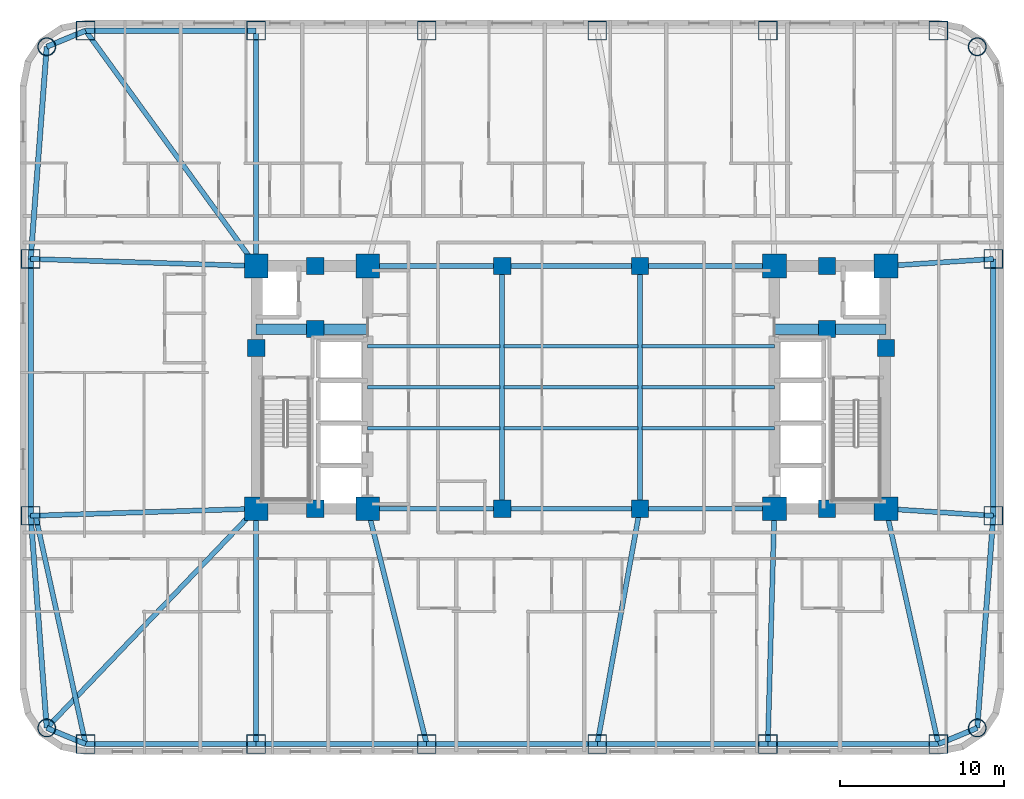
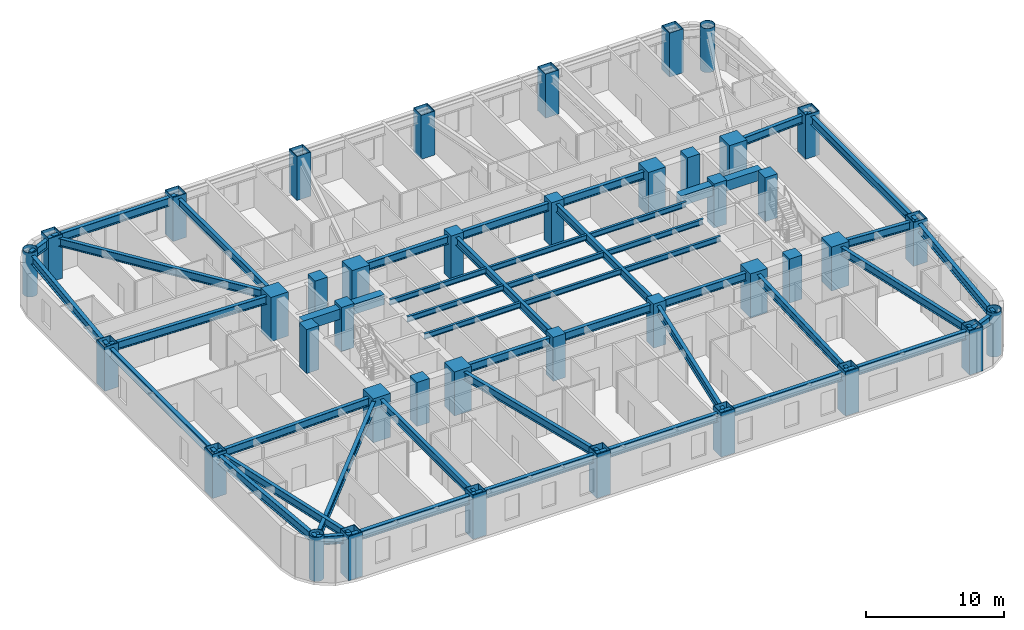
# One storey, part 1 of 11: 46 beams, 40 columns.
"""IFC4 building model written with IfcOpenShell, lengths in metres."""

from ifc_helpers import new_model, si_unit, direction, frame, origin, origin_2d, place, context, subcontext, project, spatial, rectangle, hollow_rectangle, hollow_circle, i_section, extrude, material, material_profile, profile_set, type_object, element, save


model = new_model("IFC4")

# Units and contexts
model_context = context("Model", 3, precision=1e-05, world=origin(), true_north=direction((0.0, 1.0)))
body_context = subcontext(model_context, "Body", "Model", "MODEL_VIEW")
ifc_project = project(units=[si_unit("LENGTHUNIT", "METRE"), si_unit("AREAUNIT", "SQUARE_METRE"), si_unit("VOLUMEUNIT", "CUBIC_METRE"), si_unit("PLANEANGLEUNIT", "RADIAN"), si_unit("MASSUNIT", "GRAM", prefix="KILO")], contexts=[model_context])

# Site, building, storey
site_placement = place(None, origin())
site = spatial("IfcSite", under=ifc_project, at=site_placement, CompositionType="ELEMENT")
building_placement = place(site_placement, origin())
building = spatial("IfcBuilding", under=site, at=building_placement, Name="Voryun Gate Residences", CompositionType="ELEMENT")
storey_placement = place(building_placement, frame((0.0, 0.0, 57.199951171875)))
storey = spatial("IfcBuildingStorey", under=building, at=storey_placement, Name="L13", CompositionType="ELEMENT", Elevation=57.199951171875)

# Columns
ifc_material_1 = material(Name="Concrete C50/60", Category="concrete")
ifc_material_profile_1 = material_profile(ifc_material_1, rectangle(XDim=1.050048828125, YDim=1.050048828125, at=origin_2d()), Name="RC-1050x1050")
ifc_profile_set_1 = profile_set([ifc_material_profile_1], Name="Concrete C50/60")
column_type_1 = type_object("IfcColumnType", Name="COL_CORE_1050", PredefinedType="COLUMN", material=ifc_profile_set_1)
for number, where, z_axis, x_axis, name in (
    (1, (-19.199951171875, 2.39990234375, 0.0), (0.0, 0.0, 1.0), (1.0, 0.0, 0.0), "L13 Core boundary column WC-MW"),
    (2, (-15.60009765625, -7.39990234375, 0.0), (0.0, 0.0, 1.0), (1.0, 0.0, 0.0), "L13 Core boundary column WC-SM"),
    (3, (-15.60009765625, 7.39990234375, 0.0), (0.0, 0.0, 1.0), (1.0, 0.0, 0.0), "L13 Core boundary column WC-NM"),
    (4, (-15.60009765625, 3.550048828125, 0.0), (0.0, 0.0, 1.0), (1.0, 0.0, 0.0), "L13 Core boundary column WC-MM"),
    (5, (15.60009765625, 3.550048828125, 0.0), (0.0, 0.0, 1.0), (1.0, 0.0, 0.0), "L13 Core boundary column EC-MM"),
    (6, (15.60009765625, -7.39990234375, 0.0), (0.0, 0.0, 1.0), (1.0, 0.0, 0.0), "L13 Core boundary column EC-SM"),
    (7, (15.60009765625, 7.39990234375, 0.0), (0.0, 0.0, 1.0), (1.0, 0.0, 0.0), "L13 Core boundary column EC-NM"),
    (8, (19.199951171875, 2.39990234375, 0.0), (0.0, 0.0, 1.0), (1.0, 0.0, 0.0), "L13 Core boundary column EC-ME"),
    (9, (-4.199951171875, -7.39990234375, 0.0), (0.0, 0.0, 1.0), (1.0, 0.0, 0.0), "L13 Interior spine column SP-WS"),
    (10, (-4.199951171875, 7.39990234375, 0.0), (0.0, 0.0, 1.0), (1.0, 0.0, 0.0), "L13 Interior spine column SP-WN"),
    (11, (4.199951171875, -7.39990234375, 0.0), (0.0, 0.0, 1.0), (1.0, 0.0, 0.0), "L13 Interior spine column SP-ES"),
    (12, (4.199951171875, 7.39990234375, 0.0), (0.0, 0.0, 1.0), (1.0, 0.0, 0.0), "L13 Interior spine column SP-EN"),
):
    element("IfcColumn", number, at=place(storey_placement, frame(where, z_axis=z_axis, x_axis=x_axis)), inside=storey, type_object=column_type_1, Name=name, PredefinedType="COLUMN", context=body_context, shape_type="SweptSolid", body=[
        extrude(rectangle(XDim=1.050048828125, YDim=1.050048828125, at=origin_2d()), origin(), (0.0, 0.0, 1.0), 3.900146484375),
    ])
ifc_material_2 = material(Name="Steel SM420", Category="steel")
ifc_material_profile_2 = material_profile(ifc_material_2, hollow_circle(Radius=0.550048828125, WallThickness=0.035888671875, at=origin_2d()), Name="CHS-1100x36")
ifc_profile_set_2 = profile_set([ifc_material_profile_2], Name="Steel SM420")
column_type_2 = type_object("IfcColumnType", Name="COL_CRN_1100", PredefinedType="COLUMN", material=ifc_profile_set_2)
for number, where, z_axis, x_axis, name in (
    (13, (24.768798828125, -20.768798828125, 0.0), (0.0, 0.0, 1.0), (1.0, 0.0, 0.0), "L13 Exoskeleton column CSE"),
    (14, (24.768798828125, 20.768798828125, 0.0), (0.0, 0.0, 1.0), (1.0, 0.0, 0.0), "L13 Exoskeleton column CNE"),
    (15, (-31.96875, 20.768798828125, 0.0), (0.0, 0.0, 1.0), (1.0, 0.0, 0.0), "L13 Exoskeleton column CNW"),
    (16, (-31.96875, -20.768798828125, 0.0), (0.0, 0.0, 1.0), (1.0, 0.0, 0.0), "L13 Exoskeleton column CSW"),
):
    element("IfcColumn", number, at=place(storey_placement, frame(where, z_axis=z_axis, x_axis=x_axis)), inside=storey, type_object=column_type_2, Name=name, PredefinedType="COLUMN", context=body_context, shape_type="SweptSolid", body=[
        extrude(hollow_circle(Radius=0.550048828125, WallThickness=0.035888671875, at=origin_2d()), origin(), (0.0, 0.0, 1.0), 3.900146484375),
    ])
ifc_material_3 = material(Name="Steel SM420", Category="steel")
ifc_material_profile_3 = material_profile(ifc_material_3, hollow_rectangle(XDim=1.14990234375, YDim=1.14990234375, WallThickness=0.0400390625, at=origin_2d()), Name="BOX-1150x1150x40")
ifc_profile_set_3 = profile_set([ifc_material_profile_3], Name="Steel SM420")
column_type_3 = type_object("IfcColumnType", Name="COL_EXO_B1", PredefinedType="COLUMN", material=ifc_profile_set_3)
for number, where, z_axis, x_axis, name in (
    (17, (-29.60009765625, -21.75, 0.0), (0.0, 0.0, 1.0), (1.0, 0.0, 0.0), "L13 Exoskeleton column S1"),
    (18, (-19.199951171875, -21.75, 0.0), (0.0, 0.0, 1.0), (1.0, 0.0, 0.0), "L13 Exoskeleton column S2"),
    (19, (-8.800048828125, -21.75, 0.0), (0.0, 0.0, 1.0), (1.0, 0.0, 0.0), "L13 Exoskeleton column S3"),
    (20, (1.60009765625, -21.75, 0.0), (0.0, 0.0, 1.0), (1.0, 0.0, 0.0), "L13 Exoskeleton column S4"),
    (21, (12.0, -21.75, 0.0), (0.0, 0.0, 1.0), (1.0, 0.0, 0.0), "L13 Exoskeleton column S5"),
    (22, (22.39990234375, -21.75, 0.0), (0.0, 0.0, 1.0), (1.0, 0.0, 0.0), "L13 Exoskeleton column S6"),
    (23, (25.75, -7.830078125, 0.0), (0.0, 0.0, 1.0), (1.0, 0.0, 0.0), "L13 Exoskeleton column E1"),
    (24, (25.75, 7.830078125, 0.0), (0.0, 0.0, 1.0), (1.0, 0.0, 0.0), "L13 Exoskeleton column E2"),
    (25, (22.39990234375, 21.75, 0.0), (0.0, 0.0, 1.0), (1.0, 0.0, 0.0), "L13 Exoskeleton column N1"),
    (26, (12.0, 21.75, 0.0), (0.0, 0.0, 1.0), (1.0, 0.0, 0.0), "L13 Exoskeleton column N2"),
    (27, (1.60009765625, 21.75, 0.0), (0.0, 0.0, 1.0), (1.0, 0.0, 0.0), "L13 Exoskeleton column N3"),
    (28, (-8.800048828125, 21.75, 0.0), (0.0, 0.0, 1.0), (1.0, 0.0, 0.0), "L13 Exoskeleton column N4"),
    (29, (-19.199951171875, 21.75, 0.0), (0.0, 0.0, 1.0), (1.0, 0.0, 0.0), "L13 Exoskeleton column N5"),
    (30, (-29.60009765625, 21.75, 0.0), (0.0, 0.0, 1.0), (1.0, 0.0, 0.0), "L13 Exoskeleton column N6"),
    (31, (-32.949951171875, 7.830078125, 0.0), (0.0, 0.0, 1.0), (1.0, 0.0, 0.0), "L13 Exoskeleton column W1"),
    (32, (-32.949951171875, -7.830078125, 0.0), (0.0, 0.0, 1.0), (1.0, 0.0, 0.0), "L13 Exoskeleton column W2"),
):
    element("IfcColumn", number, at=place(storey_placement, frame(where, z_axis=z_axis, x_axis=x_axis)), inside=storey, type_object=column_type_3, Name=name, PredefinedType="COLUMN", context=body_context, shape_type="SweptSolid", body=[
        extrude(hollow_rectangle(XDim=1.14990234375, YDim=1.14990234375, WallThickness=0.0400390625, at=origin_2d()), origin(), (0.0, 0.0, 1.0), 3.900146484375),
    ])
ifc_material_4 = material(Name="Concrete C60/75", Category="concrete")
ifc_material_profile_4 = material_profile(ifc_material_4, rectangle(XDim=1.449951171875, YDim=1.449951171875, at=origin_2d()), Name="RC-1450x1450")
ifc_profile_set_4 = profile_set([ifc_material_profile_4], Name="Concrete C60/75")
column_type_4 = type_object("IfcColumnType", Name="COL_MEGA_1450", PredefinedType="COLUMN", material=ifc_profile_set_4)
for number, where, z_axis, x_axis, name in (
    (33, (-19.199951171875, -7.39990234375, 0.0), (0.0, 0.0, 1.0), (1.0, 0.0, 0.0), "L13 Core boundary column WC-SW"),
    (34, (-19.199951171875, 7.39990234375, 0.0), (0.0, 0.0, 1.0), (1.0, 0.0, 0.0), "L13 Core boundary column WC-NW"),
    (35, (-12.39990234375, -7.39990234375, 0.0), (0.0, 0.0, 1.0), (1.0, 0.0, 0.0), "L13 Core boundary column WC-SE"),
    (36, (-12.39990234375, 7.39990234375, 0.0), (0.0, 0.0, 1.0), (1.0, 0.0, 0.0), "L13 Core boundary column WC-NE"),
    (37, (12.39990234375, -7.39990234375, 0.0), (0.0, 0.0, 1.0), (1.0, 0.0, 0.0), "L13 Core boundary column EC-SW"),
    (38, (12.39990234375, 7.39990234375, 0.0), (0.0, 0.0, 1.0), (1.0, 0.0, 0.0), "L13 Core boundary column EC-NW"),
    (39, (19.199951171875, -7.39990234375, 0.0), (0.0, 0.0, 1.0), (1.0, 0.0, 0.0), "L13 Core boundary column EC-SE"),
    (40, (19.199951171875, 7.39990234375, 0.0), (0.0, 0.0, 1.0), (1.0, 0.0, 0.0), "L13 Core boundary column EC-NE"),
):
    element("IfcColumn", number, at=place(storey_placement, frame(where, z_axis=z_axis, x_axis=x_axis)), inside=storey, type_object=column_type_4, Name=name, PredefinedType="COLUMN", context=body_context, shape_type="SweptSolid", body=[
        extrude(rectangle(XDim=1.449951171875, YDim=1.449951171875, at=origin_2d()), origin(), (0.0, 0.0, 1.0), 3.900146484375),
    ])

# Beams
ifc_material_5 = material(Name="Concrete C60/75", Category="concrete")
ifc_material_profile_5 = material_profile(ifc_material_5, rectangle(XDim=0.64990234375, YDim=0.89990234375, at=origin_2d()), Name="RC-650x900")
ifc_profile_set_5 = profile_set([ifc_material_profile_5], Name="Concrete C60/75")
beam_type_1 = type_object("IfcBeamType", Name="BM_COUP_RC900", PredefinedType="LINTEL", material=ifc_profile_set_5)
for number, where, z_axis, x_axis, name in (
    (41, (-19.199951171875, 3.550048828125, 3.199951171875), (1.0, 0.0, 0.0), (0.0, 1.0, 0.0), "BM-L13-WC1"),
    (42, (12.39990234375, 3.550048828125, 3.199951171875), (1.0, 0.0, 0.0), (0.0, 1.0, 0.0), "BM-L13-EC1"),
):
    element("IfcBeam", number, at=place(storey_placement, frame(where, z_axis=z_axis, x_axis=x_axis)), inside=storey, type_object=beam_type_1, Name=name, PredefinedType="LINTEL", context=body_context, shape_type="SweptSolid", body=[
        extrude(rectangle(XDim=0.64990234375, YDim=0.89990234375, at=origin_2d()), origin(), (0.0, 0.0, 1.0), 6.800048828125),
    ])
ifc_material_6 = material(Name="Steel SM355", Category="steel")
ifc_material_profile_6 = material_profile(ifc_material_6, i_section(OverallWidth=0.320068359375, OverallDepth=0.75, WebThickness=0.01611328125, FlangeThickness=0.028076171875, FilletRadius=0.01806640625, at=origin_2d()), Name="H-750x320x16x28")
ifc_profile_set_6 = profile_set([ifc_material_profile_6], Name="Steel SM355")
beam_type_2 = type_object("IfcBeamType", Name="BM_EXO_SPANDREL_L", PredefinedType="SPANDREL", material=ifc_profile_set_6)
beam_1_placement = place(storey_placement, frame((-29.60009765625, -21.75, 3.275146484375), z_axis=(1.0, 0.0, 0.0), x_axis=(0.0, 1.0, 0.0)))
element("IfcBeam", 43, at=beam_1_placement, inside=storey, type_object=beam_type_2, Name="BM-L13-SPAND-01", PredefinedType="SPANDREL", context=body_context, shape_type="SweptSolid", body=[
    extrude(i_section(OverallWidth=0.320068359375, OverallDepth=0.75, WebThickness=0.01611328125, FlangeThickness=0.028076171875, FilletRadius=0.01806640625, at=origin_2d()), origin(), (0.0, 0.0, 1.0), 10.400146484375),
])
beam_2_placement = place(storey_placement, frame((-19.199951171875, -21.75, 3.275146484375), z_axis=(1.0, 0.0, 0.0), x_axis=(0.0, 1.0, 0.0)))
element("IfcBeam", 44, at=beam_2_placement, inside=storey, type_object=beam_type_2, Name="BM-L13-SPAND-02", PredefinedType="SPANDREL", context=body_context, shape_type="SweptSolid", body=[
    extrude(i_section(OverallWidth=0.320068359375, OverallDepth=0.75, WebThickness=0.01611328125, FlangeThickness=0.028076171875, FilletRadius=0.01806640625, at=origin_2d()), origin(), (0.0, 0.0, 1.0), 10.39990234375),
])
beam_3_placement = place(storey_placement, frame((-8.800048828125, -21.75, 3.275146484375), z_axis=(1.0, 0.0, 0.0), x_axis=(0.0, 1.0, 0.0)))
element("IfcBeam", 45, at=beam_3_placement, inside=storey, type_object=beam_type_2, Name="BM-L13-SPAND-03", PredefinedType="SPANDREL", context=body_context, shape_type="SweptSolid", body=[
    extrude(i_section(OverallWidth=0.320068359375, OverallDepth=0.75, WebThickness=0.01611328125, FlangeThickness=0.028076171875, FilletRadius=0.01806640625, at=origin_2d()), origin(), (0.0, 0.0, 1.0), 10.400146484375),
])
for number, where, z_axis, x_axis, name in (
    (46, (1.60009765625, -21.75, 3.275146484375), (1.0, 0.0, 0.0), (0.0, 1.0, 0.0), "BM-L13-SPAND-04"),
    (47, (12.0, -21.75, 3.275146484375), (1.0, 0.0, 0.0), (0.0, 1.0, 0.0), "BM-L13-SPAND-05"),
):
    element("IfcBeam", number, at=place(storey_placement, frame(where, z_axis=z_axis, x_axis=x_axis)), inside=storey, type_object=beam_type_2, Name=name, PredefinedType="SPANDREL", context=body_context, shape_type="SweptSolid", body=[
        extrude(i_section(OverallWidth=0.320068359375, OverallDepth=0.75, WebThickness=0.01611328125, FlangeThickness=0.028076171875, FilletRadius=0.01806640625, at=origin_2d()), origin(), (0.0, 0.0, 1.0), 10.39990234375),
    ])
beam_4_placement = place(storey_placement, frame((22.39990234375, -21.75, 3.275146484375), z_axis=(0.923883376753, 0.382674151414, 0.0), x_axis=(-0.382674151414, 0.923883376753, 0.0)))
element("IfcBeam", 48, at=beam_4_placement, inside=storey, type_object=beam_type_2, Name="BM-L13-SPAND-06", PredefinedType="SPANDREL", context=body_context, shape_type="SweptSolid", body=[
    extrude(i_section(OverallWidth=0.320068359375, OverallDepth=0.75, WebThickness=0.01611328125, FlangeThickness=0.028076171875, FilletRadius=0.01806640625, at=origin_2d()), origin(), (0.0, 0.0, 1.0), 2.56396484375),
])
beam_5_placement = place(storey_placement, frame((24.768798828125, -20.768798828125, 3.275146484375), z_axis=(0.075617360159, 0.997136908776, 0.0), x_axis=(-0.997136908776, 0.075617360159, 0.0)))
element("IfcBeam", 49, at=beam_5_placement, inside=storey, type_object=beam_type_2, Name="BM-L13-SPAND-07", PredefinedType="SPANDREL", context=body_context, shape_type="SweptSolid", body=[
    extrude(i_section(OverallWidth=0.320068359375, OverallDepth=0.75, WebThickness=0.01611328125, FlangeThickness=0.028076171875, FilletRadius=0.01806640625, at=origin_2d()), origin(), (0.0, 0.0, 1.0), 12.975830078125),
])
beam_6_placement = place(storey_placement, frame((25.75, -7.830078125, 3.275146484375), z_axis=(0.0, 1.0, 0.0), x_axis=(-1.0, 0.0, 0.0)))
element("IfcBeam", 50, at=beam_6_placement, inside=storey, type_object=beam_type_2, Name="BM-L13-SPAND-08", PredefinedType="SPANDREL", context=body_context, shape_type="SweptSolid", body=[
    extrude(i_section(OverallWidth=0.320068359375, OverallDepth=0.75, WebThickness=0.01611328125, FlangeThickness=0.028076171875, FilletRadius=0.01806640625, at=origin_2d()), origin(), (0.0, 0.0, 1.0), 15.66015625),
])
beam_7_placement = place(storey_placement, frame((-19.199951171875, 21.75, 3.275146484375), z_axis=(-1.0, 0.0, 0.0), x_axis=(0.0, -1.0, 0.0)))
element("IfcBeam", 51, at=beam_7_placement, inside=storey, type_object=beam_type_2, Name="BM-L13-SPAND-15", PredefinedType="SPANDREL", context=body_context, shape_type="SweptSolid", body=[
    extrude(i_section(OverallWidth=0.320068359375, OverallDepth=0.75, WebThickness=0.01611328125, FlangeThickness=0.028076171875, FilletRadius=0.01806640625, at=origin_2d()), origin(), (0.0, 0.0, 1.0), 10.400146484375),
])
beam_8_placement = place(storey_placement, frame((-29.60009765625, 21.75, 3.275146484375), z_axis=(-0.92386943149, -0.382707817477, 0.0), x_axis=(0.382707817477, -0.92386943149, 0.0)))
element("IfcBeam", 52, at=beam_8_placement, inside=storey, type_object=beam_type_2, Name="BM-L13-SPAND-16", PredefinedType="SPANDREL", context=body_context, shape_type="SweptSolid", body=[
    extrude(i_section(OverallWidth=0.320068359375, OverallDepth=0.75, WebThickness=0.01611328125, FlangeThickness=0.028076171875, FilletRadius=0.01806640625, at=origin_2d()), origin(), (0.0, 0.0, 1.0), 2.563720703125),
])
beam_9_placement = place(storey_placement, frame((-31.96875, 20.768798828125, 3.275146484375), z_axis=(-0.075617360159, -0.997136908776, 0.0), x_axis=(0.997136908776, -0.075617360159, 0.0)))
element("IfcBeam", 53, at=beam_9_placement, inside=storey, type_object=beam_type_2, Name="BM-L13-SPAND-17", PredefinedType="SPANDREL", context=body_context, shape_type="SweptSolid", body=[
    extrude(i_section(OverallWidth=0.320068359375, OverallDepth=0.75, WebThickness=0.01611328125, FlangeThickness=0.028076171875, FilletRadius=0.01806640625, at=origin_2d()), origin(), (0.0, 0.0, 1.0), 12.975830078125),
])
beam_10_placement = place(storey_placement, frame((-32.949951171875, 7.830078125, 3.275146484375), z_axis=(0.0, -1.0, 0.0), x_axis=(1.0, 0.0, 0.0)))
element("IfcBeam", 54, at=beam_10_placement, inside=storey, type_object=beam_type_2, Name="BM-L13-SPAND-18", PredefinedType="SPANDREL", context=body_context, shape_type="SweptSolid", body=[
    extrude(i_section(OverallWidth=0.320068359375, OverallDepth=0.75, WebThickness=0.01611328125, FlangeThickness=0.028076171875, FilletRadius=0.01806640625, at=origin_2d()), origin(), (0.0, 0.0, 1.0), 15.66015625),
])
beam_11_placement = place(storey_placement, frame((-32.949951171875, -7.830078125, 3.275146484375), z_axis=(0.075617360159, -0.997136908776, 0.0), x_axis=(0.997136908776, 0.075617360159, 0.0)))
element("IfcBeam", 55, at=beam_11_placement, inside=storey, type_object=beam_type_2, Name="BM-L13-SPAND-19", PredefinedType="SPANDREL", context=body_context, shape_type="SweptSolid", body=[
    extrude(i_section(OverallWidth=0.320068359375, OverallDepth=0.75, WebThickness=0.01611328125, FlangeThickness=0.028076171875, FilletRadius=0.01806640625, at=origin_2d()), origin(), (0.0, 0.0, 1.0), 12.975830078125),
])
beam_12_placement = place(storey_placement, frame((-31.96875, -20.768798828125, 3.275146484375), z_axis=(0.92386943149, -0.382707817477, 0.0), x_axis=(0.382707817477, 0.92386943149, 0.0)))
element("IfcBeam", 56, at=beam_12_placement, inside=storey, type_object=beam_type_2, Name="BM-L13-SPAND-20", PredefinedType="SPANDREL", context=body_context, shape_type="SweptSolid", body=[
    extrude(i_section(OverallWidth=0.320068359375, OverallDepth=0.75, WebThickness=0.01611328125, FlangeThickness=0.028076171875, FilletRadius=0.01806640625, at=origin_2d()), origin(), (0.0, 0.0, 1.0), 2.563720703125),
])
ifc_material_7 = material(Name="Steel SM355", Category="steel")
ifc_material_profile_7 = material_profile(ifc_material_7, i_section(OverallWidth=0.300048828125, OverallDepth=0.699951171875, WebThickness=0.012939453125, FlangeThickness=0.02392578125, FilletRadius=0.01806640625, at=origin_2d()), Name="H-700x300x13x24")
ifc_profile_set_7 = profile_set([ifc_material_profile_7], Name="Steel SM355")
beam_type_3 = type_object("IfcBeamType", Name="BM_GIRD_700", PredefinedType="USERDEFINED", material=ifc_profile_set_7)
beam_13_placement = place(storey_placement, frame((-12.39990234375, -7.39990234375, 3.300048828125), z_axis=(1.0, 0.0, 0.0), x_axis=(0.0, 1.0, 0.0)))
element("IfcBeam", 57, at=beam_13_placement, inside=storey, type_object=beam_type_3, Name="BM-L13-SPG1-S", ObjectType="GIRDER", PredefinedType="USERDEFINED", context=body_context, shape_type="SweptSolid", body=[
    extrude(i_section(OverallWidth=0.300048828125, OverallDepth=0.699951171875, WebThickness=0.012939453125, FlangeThickness=0.02392578125, FilletRadius=0.01806640625, at=origin_2d()), origin(), (0.0, 0.0, 1.0), 8.199951171875),
])
beam_14_placement = place(storey_placement, frame((-4.199951171875, -7.39990234375, 3.300048828125), z_axis=(1.0, 0.0, 0.0), x_axis=(0.0, 1.0, 0.0)))
element("IfcBeam", 58, at=beam_14_placement, inside=storey, type_object=beam_type_3, Name="BM-L13-SPG2-S", ObjectType="GIRDER", PredefinedType="USERDEFINED", context=body_context, shape_type="SweptSolid", body=[
    extrude(i_section(OverallWidth=0.300048828125, OverallDepth=0.699951171875, WebThickness=0.012939453125, FlangeThickness=0.02392578125, FilletRadius=0.01806640625, at=origin_2d()), origin(), (0.0, 0.0, 1.0), 8.39990234375),
])
for number, where, z_axis, x_axis, name in (
    (59, (4.199951171875, -7.39990234375, 3.300048828125), (1.0, 0.0, 0.0), (0.0, 1.0, 0.0), "BM-L13-SPG3-S"),
    (60, (-12.39990234375, 7.39990234375, 3.300048828125), (1.0, 0.0, 0.0), (0.0, 1.0, 0.0), "BM-L13-SPG1-N"),
):
    element("IfcBeam", number, at=place(storey_placement, frame(where, z_axis=z_axis, x_axis=x_axis)), inside=storey, type_object=beam_type_3, Name=name, ObjectType="GIRDER", PredefinedType="USERDEFINED", context=body_context, shape_type="SweptSolid", body=[
        extrude(i_section(OverallWidth=0.300048828125, OverallDepth=0.699951171875, WebThickness=0.012939453125, FlangeThickness=0.02392578125, FilletRadius=0.01806640625, at=origin_2d()), origin(), (0.0, 0.0, 1.0), 8.199951171875),
    ])
beam_15_placement = place(storey_placement, frame((-4.199951171875, 7.39990234375, 3.300048828125), z_axis=(1.0, 0.0, 0.0), x_axis=(0.0, 1.0, 0.0)))
element("IfcBeam", 61, at=beam_15_placement, inside=storey, type_object=beam_type_3, Name="BM-L13-SPG2-N", ObjectType="GIRDER", PredefinedType="USERDEFINED", context=body_context, shape_type="SweptSolid", body=[
    extrude(i_section(OverallWidth=0.300048828125, OverallDepth=0.699951171875, WebThickness=0.012939453125, FlangeThickness=0.02392578125, FilletRadius=0.01806640625, at=origin_2d()), origin(), (0.0, 0.0, 1.0), 8.39990234375),
])
beam_16_placement = place(storey_placement, frame((4.199951171875, 7.39990234375, 3.300048828125), z_axis=(1.0, 0.0, 0.0), x_axis=(0.0, 1.0, 0.0)))
element("IfcBeam", 62, at=beam_16_placement, inside=storey, type_object=beam_type_3, Name="BM-L13-SPG3-N", ObjectType="GIRDER", PredefinedType="USERDEFINED", context=body_context, shape_type="SweptSolid", body=[
    extrude(i_section(OverallWidth=0.300048828125, OverallDepth=0.699951171875, WebThickness=0.012939453125, FlangeThickness=0.02392578125, FilletRadius=0.01806640625, at=origin_2d()), origin(), (0.0, 0.0, 1.0), 8.199951171875),
])
for number, where, z_axis, x_axis, name in (
    (63, (-4.199951171875, -7.39990234375, 3.300048828125), (0.0, 1.0, 0.0), (-1.0, 0.0, 0.0), "BM-L13-SPX-W"),
    (64, (4.199951171875, -7.39990234375, 3.300048828125), (0.0, 1.0, 0.0), (-1.0, 0.0, 0.0), "BM-L13-SPX-E"),
):
    element("IfcBeam", number, at=place(storey_placement, frame(where, z_axis=z_axis, x_axis=x_axis)), inside=storey, type_object=beam_type_3, Name=name, ObjectType="GIRDER", PredefinedType="USERDEFINED", context=body_context, shape_type="SweptSolid", body=[
        extrude(i_section(OverallWidth=0.300048828125, OverallDepth=0.699951171875, WebThickness=0.012939453125, FlangeThickness=0.02392578125, FilletRadius=0.01806640625, at=origin_2d()), origin(), (0.0, 0.0, 1.0), 14.7998046875),
    ])
beam_17_placement = place(storey_placement, frame((-32.64990234375, -7.830078125, 3.300048828125), z_axis=(0.214019782918, -0.976829326198, 0.0), x_axis=(0.976829326198, 0.214019782918, 0.0)))
element("IfcBeam", 65, at=beam_17_placement, inside=storey, type_object=beam_type_3, Name="BM-L13-RAD-S1", ObjectType="GIRDER", PredefinedType="USERDEFINED", context=body_context, shape_type="SweptSolid", body=[
    extrude(i_section(OverallWidth=0.300048828125, OverallDepth=0.699951171875, WebThickness=0.012939453125, FlangeThickness=0.02392578125, FilletRadius=0.01806640625, at=origin_2d()), origin(), (0.0, 0.0, 1.0), 14.25),
])
beam_18_placement = place(storey_placement, frame((-19.199951171875, -7.39990234375, 3.300048828125), z_axis=(0.0, -1.0, 0.0), x_axis=(1.0, 0.0, 0.0)))
element("IfcBeam", 66, at=beam_18_placement, inside=storey, type_object=beam_type_3, Name="BM-L13-RAD-S2", ObjectType="GIRDER", PredefinedType="USERDEFINED", context=body_context, shape_type="SweptSolid", body=[
    extrude(i_section(OverallWidth=0.300048828125, OverallDepth=0.699951171875, WebThickness=0.012939453125, FlangeThickness=0.02392578125, FilletRadius=0.01806640625, at=origin_2d()), origin(), (0.0, 0.0, 1.0), 14.35009765625),
])
beam_19_placement = place(storey_placement, frame((-12.39990234375, -7.39990234375, 3.300048828125), z_axis=(0.243319869291, -0.969946102218, 0.0), x_axis=(0.969946102218, 0.243319869291, 0.0)))
element("IfcBeam", 67, at=beam_19_placement, inside=storey, type_object=beam_type_3, Name="BM-L13-RAD-S3", ObjectType="GIRDER", PredefinedType="USERDEFINED", context=body_context, shape_type="SweptSolid", body=[
    extrude(i_section(OverallWidth=0.300048828125, OverallDepth=0.699951171875, WebThickness=0.012939453125, FlangeThickness=0.02392578125, FilletRadius=0.01806640625, at=origin_2d()), origin(), (0.0, 0.0, 1.0), 14.794677734375),
])
beam_20_placement = place(storey_placement, frame((4.199951171875, -7.39990234375, 3.300048828125), z_axis=(-0.178271088758, -0.983981411874, 0.0), x_axis=(0.983981411874, -0.178271088758, 0.0)))
element("IfcBeam", 68, at=beam_20_placement, inside=storey, type_object=beam_type_3, Name="BM-L13-RAD-S4", ObjectType="GIRDER", PredefinedType="USERDEFINED", context=body_context, shape_type="SweptSolid", body=[
    extrude(i_section(OverallWidth=0.300048828125, OverallDepth=0.699951171875, WebThickness=0.012939453125, FlangeThickness=0.02392578125, FilletRadius=0.01806640625, at=origin_2d()), origin(), (0.0, 0.0, 1.0), 14.583740234375),
])
beam_21_placement = place(storey_placement, frame((12.39990234375, -7.39990234375, 3.300048828125), z_axis=(-0.0278567548, -0.999611925305, 0.0), x_axis=(0.999611925305, -0.0278567548, 0.0)))
element("IfcBeam", 69, at=beam_21_placement, inside=storey, type_object=beam_type_3, Name="BM-L13-RAD-S5", ObjectType="GIRDER", PredefinedType="USERDEFINED", context=body_context, shape_type="SweptSolid", body=[
    extrude(i_section(OverallWidth=0.300048828125, OverallDepth=0.699951171875, WebThickness=0.012939453125, FlangeThickness=0.02392578125, FilletRadius=0.01806640625, at=origin_2d()), origin(), (0.0, 0.0, 1.0), 14.355712890625),
])
beam_22_placement = place(storey_placement, frame((19.199951171875, -7.39990234375, 3.300048828125), z_axis=(0.217645991352, -0.976027777498, 0.0), x_axis=(0.976027777498, 0.217645991352, 0.0)))
element("IfcBeam", 70, at=beam_22_placement, inside=storey, type_object=beam_type_3, Name="BM-L13-RAD-S6", ObjectType="GIRDER", PredefinedType="USERDEFINED", context=body_context, shape_type="SweptSolid", body=[
    extrude(i_section(OverallWidth=0.300048828125, OverallDepth=0.699951171875, WebThickness=0.012939453125, FlangeThickness=0.02392578125, FilletRadius=0.01806640625, at=origin_2d()), origin(), (0.0, 0.0, 1.0), 14.70263671875),
])
for number, where, z_axis, x_axis, name in (
    (71, (19.199951171875, -7.39990234375, 3.300048828125), (0.997850335415, -0.06553402255, 0.0), (0.06553402255, 0.997850335415, 0.0), "BM-L13-RAD-E1"),
    (72, (19.199951171875, 7.39990234375, 3.300048828125), (0.997850335415, 0.06553402255, 0.0), (-0.06553402255, 0.997850335415, 0.0), "BM-L13-RAD-E2"),
):
    element("IfcBeam", number, at=place(storey_placement, frame(where, z_axis=z_axis, x_axis=x_axis)), inside=storey, type_object=beam_type_3, Name=name, ObjectType="GIRDER", PredefinedType="USERDEFINED", context=body_context, shape_type="SweptSolid", body=[
        extrude(i_section(OverallWidth=0.300048828125, OverallDepth=0.699951171875, WebThickness=0.012939453125, FlangeThickness=0.02392578125, FilletRadius=0.01806640625, at=origin_2d()), origin(), (0.0, 0.0, 1.0), 6.564208984375),
    ])
beam_23_placement = place(storey_placement, frame((-19.199951171875, 7.39990234375, 3.300048828125), z_axis=(0.0, 1.0, 0.0), x_axis=(-1.0, 0.0, 0.0)))
element("IfcBeam", 73, at=beam_23_placement, inside=storey, type_object=beam_type_3, Name="BM-L13-RAD-N5", ObjectType="GIRDER", PredefinedType="USERDEFINED", context=body_context, shape_type="SweptSolid", body=[
    extrude(i_section(OverallWidth=0.300048828125, OverallDepth=0.699951171875, WebThickness=0.012939453125, FlangeThickness=0.02392578125, FilletRadius=0.01806640625, at=origin_2d()), origin(), (0.0, 0.0, 1.0), 14.35009765625),
])
beam_24_placement = place(storey_placement, frame((-19.199951171875, 7.39990234375, 3.300048828125), z_axis=(-0.586831668391, 0.80970895572, 0.0), x_axis=(-0.80970895572, -0.586831668391, 0.0)))
element("IfcBeam", 74, at=beam_24_placement, inside=storey, type_object=beam_type_3, Name="BM-L13-RAD-N6", ObjectType="GIRDER", PredefinedType="USERDEFINED", context=body_context, shape_type="SweptSolid", body=[
    extrude(i_section(OverallWidth=0.300048828125, OverallDepth=0.699951171875, WebThickness=0.012939453125, FlangeThickness=0.02392578125, FilletRadius=0.01806640625, at=origin_2d()), origin(), (0.0, 0.0, 1.0), 17.72265625),
])
for number, where, z_axis, x_axis, name in (
    (75, (-19.199951171875, 7.39990234375, 3.300048828125), (-0.999510967353, 0.031270211727, 0.0), (-0.031270211727, -0.999510967353, 0.0), "BM-L13-RAD-W1"),
    (76, (-19.199951171875, -7.39990234375, 3.300048828125), (-0.999510967353, -0.031270211727, 0.0), (0.031270211727, -0.999510967353, 0.0), "BM-L13-RAD-W2"),
):
    element("IfcBeam", number, at=place(storey_placement, frame(where, z_axis=z_axis, x_axis=x_axis)), inside=storey, type_object=beam_type_3, Name=name, ObjectType="GIRDER", PredefinedType="USERDEFINED", context=body_context, shape_type="SweptSolid", body=[
        extrude(i_section(OverallWidth=0.300048828125, OverallDepth=0.699951171875, WebThickness=0.012939453125, FlangeThickness=0.02392578125, FilletRadius=0.01806640625, at=origin_2d()), origin(), (0.0, 0.0, 1.0), 13.7568359375),
    ])
beam_25_placement = place(storey_placement, frame((-19.199951171875, -7.39990234375, 3.300048828125), z_axis=(-0.69069023987, -0.723150739852, 0.0), x_axis=(0.723150739852, -0.69069023987, 0.0)))
element("IfcBeam", 77, at=beam_25_placement, inside=storey, type_object=beam_type_3, Name="BM-L13-RAD-CSW", ObjectType="GIRDER", PredefinedType="USERDEFINED", context=body_context, shape_type="SweptSolid", body=[
    extrude(i_section(OverallWidth=0.300048828125, OverallDepth=0.699951171875, WebThickness=0.012939453125, FlangeThickness=0.02392578125, FilletRadius=0.01806640625, at=origin_2d()), origin(), (0.0, 0.0, 1.0), 18.487060546875),
])
ifc_material_8 = material(Name="Steel SM355", Category="steel")
ifc_material_profile_8 = material_profile(ifc_material_8, i_section(OverallWidth=0.199951171875, OverallDepth=0.47998046875, WebThickness=0.010009765625, FlangeThickness=0.01806640625, FilletRadius=0.01806640625, at=origin_2d()), Name="H-480x200x10x18")
ifc_profile_set_8 = profile_set([ifc_material_profile_8], Name="Steel SM355")
beam_type_4 = type_object("IfcBeamType", Name="BM_SEC_480", PredefinedType="BEAM", material=ifc_profile_set_8)
beam_26_placement = place(storey_placement, frame((-12.39990234375, -2.5, 3.41015625), z_axis=(1.0, 0.0, 0.0), x_axis=(0.0, 1.0, 0.0)))
element("IfcBeam", 78, at=beam_26_placement, inside=storey, type_object=beam_type_4, Name="BM-L13-SEC-CS1", PredefinedType="BEAM", context=body_context, shape_type="SweptSolid", body=[
    extrude(i_section(OverallWidth=0.199951171875, OverallDepth=0.47998046875, WebThickness=0.010009765625, FlangeThickness=0.01806640625, FilletRadius=0.01806640625, at=origin_2d()), origin(), (0.0, 0.0, 1.0), 8.074951171875),
])
beam_27_placement = place(storey_placement, frame((-4.074951171875, -2.5, 3.41015625), z_axis=(1.0, 0.0, 0.0), x_axis=(0.0, 1.0, 0.0)))
element("IfcBeam", 79, at=beam_27_placement, inside=storey, type_object=beam_type_4, Name="BM-L13-SEC-CS2", PredefinedType="BEAM", context=body_context, shape_type="SweptSolid", body=[
    extrude(i_section(OverallWidth=0.199951171875, OverallDepth=0.47998046875, WebThickness=0.010009765625, FlangeThickness=0.01806640625, FilletRadius=0.01806640625, at=origin_2d()), origin(), (0.0, 0.0, 1.0), 8.14990234375),
])
for number, where, z_axis, x_axis, name in (
    (80, (4.324951171875, -2.5, 3.41015625), (1.0, 0.0, 0.0), (0.0, 1.0, 0.0), "BM-L13-SEC-CS3"),
    (81, (-12.39990234375, 0.0, 3.41015625), (1.0, 0.0, 0.0), (0.0, 1.0, 0.0), "BM-L13-SEC-CM1"),
):
    element("IfcBeam", number, at=place(storey_placement, frame(where, z_axis=z_axis, x_axis=x_axis)), inside=storey, type_object=beam_type_4, Name=name, PredefinedType="BEAM", context=body_context, shape_type="SweptSolid", body=[
        extrude(i_section(OverallWidth=0.199951171875, OverallDepth=0.47998046875, WebThickness=0.010009765625, FlangeThickness=0.01806640625, FilletRadius=0.01806640625, at=origin_2d()), origin(), (0.0, 0.0, 1.0), 8.074951171875),
    ])
beam_28_placement = place(storey_placement, frame((-4.074951171875, 0.0, 3.41015625), z_axis=(1.0, 0.0, 0.0), x_axis=(0.0, 1.0, 0.0)))
element("IfcBeam", 82, at=beam_28_placement, inside=storey, type_object=beam_type_4, Name="BM-L13-SEC-CM2", PredefinedType="BEAM", context=body_context, shape_type="SweptSolid", body=[
    extrude(i_section(OverallWidth=0.199951171875, OverallDepth=0.47998046875, WebThickness=0.010009765625, FlangeThickness=0.01806640625, FilletRadius=0.01806640625, at=origin_2d()), origin(), (0.0, 0.0, 1.0), 8.14990234375),
])
for number, where, z_axis, x_axis, name in (
    (83, (4.324951171875, 0.0, 3.41015625), (1.0, 0.0, 0.0), (0.0, 1.0, 0.0), "BM-L13-SEC-CM3"),
    (84, (-12.39990234375, 2.5, 3.41015625), (1.0, 0.0, 0.0), (0.0, 1.0, 0.0), "BM-L13-SEC-CN1"),
):
    element("IfcBeam", number, at=place(storey_placement, frame(where, z_axis=z_axis, x_axis=x_axis)), inside=storey, type_object=beam_type_4, Name=name, PredefinedType="BEAM", context=body_context, shape_type="SweptSolid", body=[
        extrude(i_section(OverallWidth=0.199951171875, OverallDepth=0.47998046875, WebThickness=0.010009765625, FlangeThickness=0.01806640625, FilletRadius=0.01806640625, at=origin_2d()), origin(), (0.0, 0.0, 1.0), 8.074951171875),
    ])
beam_29_placement = place(storey_placement, frame((-4.074951171875, 2.5, 3.41015625), z_axis=(1.0, 0.0, 0.0), x_axis=(0.0, 1.0, 0.0)))
element("IfcBeam", 85, at=beam_29_placement, inside=storey, type_object=beam_type_4, Name="BM-L13-SEC-CN2", PredefinedType="BEAM", context=body_context, shape_type="SweptSolid", body=[
    extrude(i_section(OverallWidth=0.199951171875, OverallDepth=0.47998046875, WebThickness=0.010009765625, FlangeThickness=0.01806640625, FilletRadius=0.01806640625, at=origin_2d()), origin(), (0.0, 0.0, 1.0), 8.14990234375),
])
beam_30_placement = place(storey_placement, frame((4.324951171875, 2.5, 3.41015625), z_axis=(1.0, 0.0, 0.0), x_axis=(0.0, 1.0, 0.0)))
element("IfcBeam", 86, at=beam_30_placement, inside=storey, type_object=beam_type_4, Name="BM-L13-SEC-CN3", PredefinedType="BEAM", context=body_context, shape_type="SweptSolid", body=[
    extrude(i_section(OverallWidth=0.199951171875, OverallDepth=0.47998046875, WebThickness=0.010009765625, FlangeThickness=0.01806640625, FilletRadius=0.01806640625, at=origin_2d()), origin(), (0.0, 0.0, 1.0), 8.074951171875),
])

save(model, "model.ifc")
